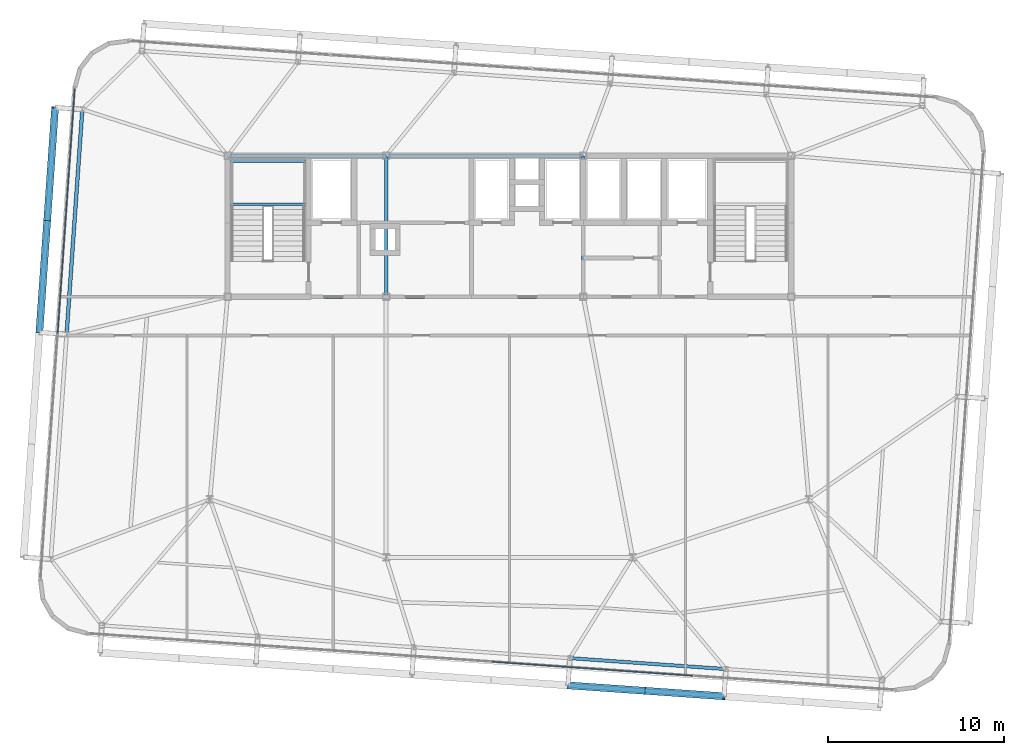
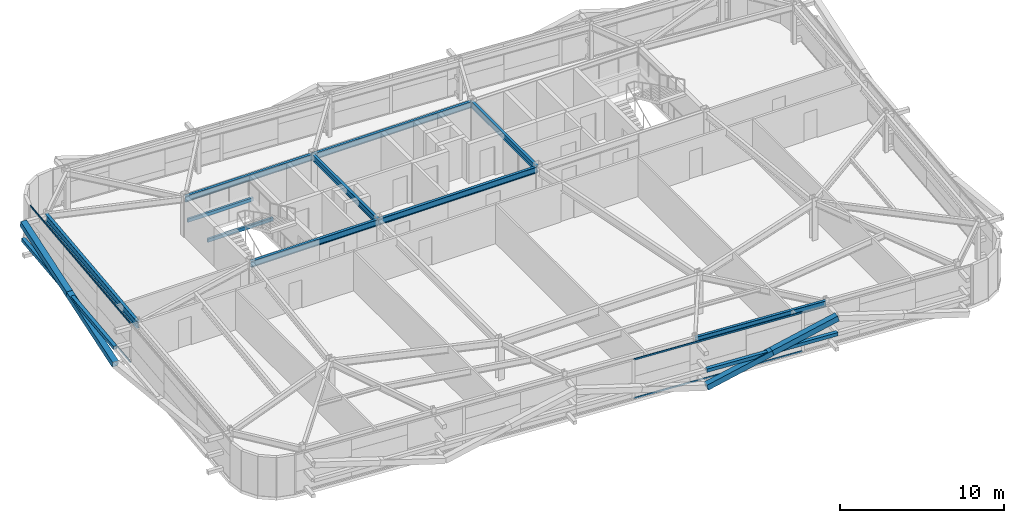
# One storey, part 12 of 39: 10 beams, 10 members, 2 elements without a shape of their own.
"""IFC4 building model written with IfcOpenShell, lengths in metres."""

import ifcopenshell
import ifcopenshell.guid

model = None  # the IFC model being written
_history = None  # IfcOwnerHistory: only IFC2X3 demands one
_inside = {}  # id of a spatial element -> (the spatial element, [elements in it])
_under = {}  # id of a project, library or spatial element -> (it, [spatial elements below it])
_declared = {}  # id of a project -> (the project, [libraries it declares])
_typed = {}  # id of a type object -> (the type object, [elements of that type])
_made_of = {}  # id of a material, layer set ... -> (it, [elements and type objects made of it])


def new_model(schema):
    """Start an empty IFC model of exactly this schema.

    Asked for "IFC4X3", IfcOpenShell would pick the latest addendum, in which some entities
    have other attributes; the version numbers below select the first issue.
    IFC2X3 requires an IfcOwnerHistory on every rooted entity: one is made here for all.
    """
    global model, _history
    if schema == "IFC4X3":
        model = ifcopenshell.file(schema_version=(4, 3, 0, 0))
    else:
        model = ifcopenshell.file(schema=schema)
    _inside.clear()
    _under.clear()
    _declared.clear()
    _typed.clear()
    _made_of.clear()
    _history = None
    if model.schema == "IFC2X3":
        org = make("IfcOrganization", Name="unknown")
        user = make(
            "IfcPersonAndOrganization",
            ThePerson=make("IfcPerson", FamilyName="unknown"),
            TheOrganization=org,
        )
        app = make(
            "IfcApplication",
            ApplicationDeveloper=org,
            Version="unknown",
            ApplicationFullName="unknown",
            ApplicationIdentifier="unknown",
        )
        _history = make(
            "IfcOwnerHistory",
            OwningUser=user,
            OwningApplication=app,
            ChangeAction="ADDED",
            CreationDate=0,
        )
    return model


def make(cls, **values):
    """One entity of the class cls with the attributes given. An attribute that is None is left unset."""
    return model.create_entity(
        cls, **{name: value for name, value in values.items() if value is not None}
    )


def rooted(cls, **values):
    """An entity with a GlobalId (a new one), such as an element, a storey or a relation."""
    return make(cls, GlobalId=ifcopenshell.guid.new(), OwnerHistory=_history, **values)


def si_unit(unit_type, name, prefix=None):
    """IfcSIUnit, for example si_unit("LENGTHUNIT", "METRE", prefix="MILLI")."""
    return make("IfcSIUnit", UnitType=unit_type, Prefix=prefix, Name=name)


def assignment(units):
    """IfcUnitAssignment: the units of a project."""
    return None if units is None else make("IfcUnitAssignment", Units=units)


def point(xyz):
    """IfcCartesianPoint."""
    return None if xyz is None else make("IfcCartesianPoint", Coordinates=xyz)


def direction(xyz):
    """IfcDirection."""
    return None if xyz is None else make("IfcDirection", DirectionRatios=xyz)


def frame(location, z_axis=None, x_axis=None):
    """IfcAxis2Placement3D, a coordinate frame: its origin and axes. An axis left out is left unset."""
    return make(
        "IfcAxis2Placement3D",
        Location=point(location),
        Axis=direction(z_axis),
        RefDirection=direction(x_axis),
    )


def frame_2d(location, x_axis=None):
    """IfcAxis2Placement2D, a coordinate frame in the plane: its origin and x axis."""
    return make(
        "IfcAxis2Placement2D", Location=point(location), RefDirection=direction(x_axis)
    )


def origin():
    """The frame at (0, 0, 0) with its axes left unset."""
    return frame((0.0, 0.0, 0.0))


def origin_2d():
    """The frame at (0, 0) in the plane with its x axis left unset."""
    return frame_2d((0.0, 0.0))


def place(relative_to, where):
    """IfcLocalPlacement: puts the frame where relative to a parent placement (None: the world)."""
    return make(
        "IfcLocalPlacement", PlacementRelTo=relative_to, RelativePlacement=where
    )


def context(
    kind, dimensions, precision=None, world=None, true_north=None, identifier=None
):
    """IfcGeometricRepresentationContext, for example the 3D "Model" context."""
    return make(
        "IfcGeometricRepresentationContext",
        ContextIdentifier=identifier,
        ContextType=kind,
        CoordinateSpaceDimension=dimensions,
        Precision=precision,
        WorldCoordinateSystem=world,
        TrueNorth=true_north,
    )


def subcontext(parent, identifier, kind, view, scale=None):
    """IfcGeometricRepresentationSubContext, for example "Body" below "Model"."""
    return make(
        "IfcGeometricRepresentationSubContext",
        ContextIdentifier=identifier,
        ContextType=kind,
        ParentContext=parent,
        TargetScale=scale,
        TargetView=view,
    )


def project(units=None, contexts=None):
    """IfcProject with its units and contexts."""
    return rooted(
        "IfcProject",
        Name="project",
        RepresentationContexts=contexts,
        UnitsInContext=assignment(units),
    )


def spatial(cls, under=None, at=None, **own):
    """A site, building, storey or space (cls), placed at a placement, below another one or the project."""
    s = rooted(cls, ObjectPlacement=at, **own)
    if under is not None:
        _under.setdefault(under.id(), (under, []))[1].append(s)
    return s


def profile(cls, at=None, kind="AREA", **sizes):
    """A parametric profile (cls). Its sizes go by their IFC names, for example OverallWidth=200.0."""
    return make(cls, ProfileType=kind, Position=at, **sizes)


def hollow_rectangle(**sizes):
    """IfcRectangleHollowProfileDef."""
    return profile("IfcRectangleHollowProfileDef", **sizes)


def i_section(**sizes):
    """IfcIShapeProfileDef."""
    return profile("IfcIShapeProfileDef", **sizes)


def extrude(swept, where, along, depth):
    """IfcExtrudedAreaSolid: the profile swept, set in the frame where, extruded along a direction by depth."""
    return make(
        "IfcExtrudedAreaSolid",
        SweptArea=swept,
        Position=where,
        ExtrudedDirection=direction(along),
        Depth=depth,
    )


def shape(context_of_items, identifier, shape_type, items):
    """IfcShapeRepresentation: the items that make up one representation, for example the "Body"."""
    return make(
        "IfcShapeRepresentation",
        ContextOfItems=context_of_items,
        RepresentationIdentifier=identifier,
        RepresentationType=shape_type,
        Items=items,
    )


def source(mapping_origin, context_of_items, identifier, shape_type, items):
    """IfcRepresentationMap: a shape defined once, which mapped items show again and again."""
    return make(
        "IfcRepresentationMap",
        MappingOrigin=mapping_origin,
        MappedRepresentation=shape(context_of_items, identifier, shape_type, items),
    )


def transform(
    local_origin,
    x_axis=None,
    y_axis=None,
    z_axis=None,
    scale=None,
    scale2=None,
    scale3=None,
    uniform=True,
):
    """IfcCartesianTransformationOperator3D, or its non-uniform kind. x_axis, y_axis, z_axis: its Axis1, 2, 3."""
    if uniform:
        return make(
            "IfcCartesianTransformationOperator3D",
            Axis1=direction(x_axis),
            Axis2=direction(y_axis),
            LocalOrigin=point(local_origin),
            Scale=scale,
            Axis3=direction(z_axis),
        )
    return make(
        "IfcCartesianTransformationOperator3DnonUniform",
        Axis1=direction(x_axis),
        Axis2=direction(y_axis),
        LocalOrigin=point(local_origin),
        Scale=scale,
        Axis3=direction(z_axis),
        Scale2=scale2,
        Scale3=scale3,
    )


def mapped(mapping_source, mapping_target):
    """IfcMappedItem: shows the shape of a source again, moved by a transform."""
    return make(
        "IfcMappedItem", MappingSource=mapping_source, MappingTarget=mapping_target
    )


def material(Name=None, Category=None):
    """IfcMaterial."""
    return make("IfcMaterial", Name=Name, Category=Category)


def layer(
    of_material, thickness, ventilated=None, Name=None, Category=None, Priority=None
):
    """IfcMaterialLayer: one layer of a wall or slab, of a material (None: an air gap)."""
    return make(
        "IfcMaterialLayer",
        Material=of_material,
        LayerThickness=thickness,
        IsVentilated=ventilated,
        Name=Name,
        Category=Category,
        Priority=Priority,
    )


def layer_set(layers, Name=None):
    """IfcMaterialLayerSet."""
    return make("IfcMaterialLayerSet", MaterialLayers=layers, LayerSetName=Name)


def material_profile(
    of_material, cross_section, Name=None, Category=None, Priority=None
):
    """IfcMaterialProfile: a cross section and its material."""
    return make(
        "IfcMaterialProfile",
        Name=Name,
        Material=of_material,
        Profile=cross_section,
        Priority=Priority,
        Category=Category,
    )


def profile_set(profiles, Name=None, composite=None):
    """IfcMaterialProfileSet."""
    return make(
        "IfcMaterialProfileSet",
        Name=Name,
        MaterialProfiles=profiles,
        CompositeProfile=composite,
    )


def made_of(thing, what):
    """Note that an element or type object is made of a material, layer set ...; save() writes the relation."""
    if what is not None:
        _made_of.setdefault(what.id(), (what, []))[1].append(thing)
    return thing


def type_object(cls, material=None, **own):
    """A type object (cls), such as IfcWallType, which elements share."""
    return made_of(rooted(cls, **own), material)


def element(
    cls,
    number,
    at=None,
    inside=None,
    cuts=None,
    type_object=None,
    material=None,
    context=None,
    identifier="Body",
    shape_type=None,
    held_by="IfcProductDefinitionShape",
    body=None,
    shapes=None,
    **own,
):
    """One element of the class cls, such as IfcWall. Its Tag is "e" and its number.

    at: its placement. inside: the storey or other place that contains it. cuts: it is an
    opening in that element (IfcRelVoidsElement). A single representation is given by context,
    identifier, shape_type and body (its items); several are given by shapes. held_by: the class
    of the entity that holds the representations. save() writes the other relations.
    """
    e = rooted(cls, Tag="e%d" % number, ObjectPlacement=at, **own)
    if body is not None:
        shapes = [shape(context, identifier, shape_type, body)]
    if shapes is not None:
        e.Representation = make(held_by, Representations=shapes)
    if inside is not None:
        _inside.setdefault(inside.id(), (inside, []))[1].append(e)
    if cuts is not None:
        rooted(
            "IfcRelVoidsElement", RelatingBuildingElement=cuts, RelatedOpeningElement=e
        )
    if type_object is not None:
        _typed.setdefault(type_object.id(), (type_object, []))[1].append(e)
    return made_of(e, material)


def aggregate(whole, parts):
    """IfcRelAggregates: a whole, such as a stair, and the parts it consists of."""
    return rooted("IfcRelAggregates", RelatingObject=whole, RelatedObjects=parts)


def save(model, path):
    """Write the relations noted so far, then the file.

    IfcRelAggregates (storeys below a building ...), IfcRelContainedInSpatialStructure (elements
    in a storey), IfcRelDefinesByType, IfcRelAssociatesMaterial and IfcRelDeclares: one each for
    every whole, place, type object, material and project.
    """
    for whole, parts in _under.values():
        aggregate(whole, parts)
    for where, things in _inside.values():
        rooted(
            "IfcRelContainedInSpatialStructure",
            RelatedElements=things,
            RelatingStructure=where,
        )
    for kind, things in _typed.values():
        rooted("IfcRelDefinesByType", RelatedObjects=things, RelatingType=kind)
    for what, things in _made_of.values():
        rooted("IfcRelAssociatesMaterial", RelatedObjects=things, RelatingMaterial=what)
    for by, libraries in _declared.values():
        rooted("IfcRelDeclares", RelatingContext=by, RelatedDefinitions=libraries)
    model.write(path)


model = new_model("IFC4")

# Units and contexts
model_context = context("Model", 3, precision=1e-05, world=origin(), true_north=direction((0.0, 1.0)))
body_context = subcontext(model_context, "Body", "Model", "MODEL_VIEW")
ifc_project = project(units=[si_unit("LENGTHUNIT", "METRE"), si_unit("AREAUNIT", "SQUARE_METRE"), si_unit("VOLUMEUNIT", "CUBIC_METRE"), si_unit("PLANEANGLEUNIT", "RADIAN"), si_unit("MASSUNIT", "GRAM", prefix="KILO")], contexts=[model_context])

# Site, building, storey
site_placement = place(None, origin())
site = spatial("IfcSite", under=ifc_project, at=site_placement, CompositionType="ELEMENT")
building_placement = place(site_placement, origin())
building = spatial("IfcBuilding", under=site, at=building_placement, Name="Taldren Reach Tower", CompositionType="ELEMENT")
storey_placement = place(building_placement, frame((0.0, 0.0, 148.75)))
storey = spatial("IfcBuildingStorey", under=building, at=storey_placement, Name="L45", CompositionType="ELEMENT", Elevation=148.75)

# Beams
ifc_material_1 = material(Name="Steel Gr 350 (350PLUS)", Category="steel")
ifc_material_profile_1 = material_profile(ifc_material_1, i_section(OverallWidth=0.19091796875, OverallDepth=0.4599609375, WebThickness=0.010009765625, FlangeThickness=0.01611328125, at=origin_2d()), Name="460UB82.1")
ifc_profile_set_1 = profile_set([ifc_material_profile_1], Name="Steel Gr 350 (350PLUS)")
beam_type_1 = type_object("IfcBeamType", Name="BM-UB460A", PredefinedType="BEAM", material=ifc_profile_set_1)
shared_shape_1 = source(origin(), body_context, "Body", "SweptSolid", [
    extrude(i_section(OverallWidth=0.19091796875, OverallDepth=0.4599609375, WebThickness=0.010009765625, FlangeThickness=0.01611328125, at=origin_2d()), origin(), (0.0, 0.0, 1.0), 9.0),
])
for number, where, z_axis, x_axis, name in (
    (1, (19.0, 24.0, 2.699951171875), (1.0, 0.0, 0.0), (0.0, 1.0, 0.0), "Core-spine girder L45-SP01"),
    (2, (19.0, 32.0, 2.699951171875), (1.0, 0.0, 0.0), (0.0, 1.0, 0.0), "Core-spine girder L45-SP04"),
):
    element("IfcBeam", number, at=place(storey_placement, frame(where, z_axis=z_axis, x_axis=x_axis)), inside=storey, type_object=beam_type_1, Name=name, PredefinedType="BEAM", context=body_context, shape_type="MappedRepresentation", body=[
        mapped(shared_shape_1, transform((0.0, 0.0, 0.0), scale=1.0)),
    ])
shared_shape_2 = source(origin(), body_context, "Body", "SweptSolid", [
    extrude(i_section(OverallWidth=0.19091796875, OverallDepth=0.4599609375, WebThickness=0.010009765625, FlangeThickness=0.01611328125, at=origin_2d()), origin(), (0.0, 0.0, 1.0), 11.199951171875),
])
for number, where, z_axis, x_axis, name in (
    (3, (28.0, 24.0, 2.699951171875), (1.0, 0.0, 0.0), (0.0, 1.0, 0.0), "Core-spine girder L45-SP02"),
    (4, (28.0, 32.0, 2.699951171875), (1.0, 0.0, 0.0), (0.0, 1.0, 0.0), "Core-spine girder L45-SP05"),
):
    element("IfcBeam", number, at=place(storey_placement, frame(where, z_axis=z_axis, x_axis=x_axis)), inside=storey, type_object=beam_type_1, Name=name, PredefinedType="BEAM", context=body_context, shape_type="MappedRepresentation", body=[
        mapped(shared_shape_2, transform((0.0, 0.0, 0.0), scale=1.0)),
    ])
shared_shape_3 = source(origin(), body_context, "Body", "SweptSolid", [
    extrude(i_section(OverallWidth=0.19091796875, OverallDepth=0.4599609375, WebThickness=0.010009765625, FlangeThickness=0.01611328125, at=origin_2d()), origin(), (0.0, 0.0, 1.0), 8.0),
])
for number, where, z_axis, x_axis, name in (
    (5, (28.0, 24.0, 2.699951171875), (0.0, 1.0, 0.0), (-1.0, 0.0, 0.0), "Core-spine girder L45-SP07"),
    (6, (39.199951171875, 24.0, 2.699951171875), (0.0, 1.0, 0.0), (-1.0, 0.0, 0.0), "Core-spine girder L45-SP08"),
):
    element("IfcBeam", number, at=place(storey_placement, frame(where, z_axis=z_axis, x_axis=x_axis)), inside=storey, type_object=beam_type_1, Name=name, PredefinedType="BEAM", context=body_context, shape_type="MappedRepresentation", body=[
        mapped(shared_shape_3, transform((0.0, 0.0, 0.0), scale=1.0)),
    ])
ifc_material_profile_2 = material_profile(ifc_material_1, i_section(OverallWidth=0.18994140625, OverallDepth=0.4541015625, WebThickness=0.008544921875, FlangeThickness=0.0126953125, at=origin_2d()), Name="460UB67.1")
ifc_profile_set_2 = profile_set([ifc_material_profile_2], Name="Steel Gr 350 (350PLUS)")
beam_type_2 = type_object("IfcBeamType", Name="SP-UB460B", PredefinedType="SPANDREL", material=ifc_profile_set_2)
shared_shape_4 = source(origin(), body_context, "Body", "SweptSolid", [
    extrude(i_section(OverallWidth=0.18994140625, OverallDepth=0.4541015625, WebThickness=0.008544921875, FlangeThickness=0.0126953125, at=origin_2d()), origin(), (0.0, 0.0, 1.0), 8.880126953125),
])
beam_1_placement = place(storey_placement, frame((38.438720703125, 3.480224609375, 2.702880859375), z_axis=(0.997562566276, -0.06977769246, 0.0), x_axis=(0.06977769246, 0.997562566276, 0.0)))
element("IfcBeam", 7, at=beam_1_placement, inside=storey, type_object=beam_type_2, Name="Perimeter spandrel B3 S4-S5 L45", PredefinedType="SPANDREL", context=body_context, shape_type="MappedRepresentation", body=[
    mapped(shared_shape_4, transform((0.0, 0.0, 0.0), scale=1.0)),
])
ifc_material_profile_3 = material_profile(ifc_material_1, i_section(OverallWidth=0.208984375, OverallDepth=0.528076171875, WebThickness=0.009521484375, FlangeThickness=0.01318359375, at=origin_2d()), Name="530UB82.0")
ifc_profile_set_3 = profile_set([ifc_material_profile_3], Name="Steel Gr 350 (350PLUS)")
beam_type_3 = type_object("IfcBeamType", Name="SP-UB530B", PredefinedType="SPANDREL", material=ifc_profile_set_3)
shared_shape_5 = source(origin(), body_context, "Body", "SweptSolid", [
    extrude(i_section(OverallWidth=0.208984375, OverallDepth=0.528076171875, WebThickness=0.009521484375, FlangeThickness=0.01318359375, at=origin_2d()), origin(), (0.0, 0.0, 1.0), 12.800048828125),
])
beam_2_placement = place(storey_placement, frame((10.754638671875, 34.63720703125, 2.666015625), z_axis=(-0.069751876777, -0.9975643717, 0.0), x_axis=(0.9975643717, -0.069751876777, 0.0)))
element("IfcBeam", 8, at=beam_2_placement, inside=storey, type_object=beam_type_3, Name="Perimeter spandrel B3 W3-W2 L45", PredefinedType="SPANDREL", context=body_context, shape_type="MappedRepresentation", body=[
    mapped(shared_shape_5, transform((0.0, 0.0, 0.0), scale=1.0)),
])

# Members
ifc_material_2 = material(Name="Steel Gr 350 (C350L0)", Category="steel")
ifc_material_profile_4 = material_profile(ifc_material_2, hollow_rectangle(XDim=0.25, YDim=0.25, WallThickness=0.010009765625, at=origin_2d()), Name="250x250x10.0SHS")
ifc_profile_set_4 = profile_set([ifc_material_profile_4], Name="Steel Gr 350 (C350L0)")
member_type_1 = type_object("IfcMemberType", Name="MB-POST250", PredefinedType="POST", material=ifc_profile_set_4)
shared_shape_6 = source(origin(), body_context, "Body", "SweptSolid", [
    extrude(hollow_rectangle(XDim=0.25, YDim=0.25, WallThickness=0.010009765625, at=origin_2d()), origin(), (0.0, 0.0, 1.0), 8.880126953125),
])
member_1_placement = place(storey_placement, frame((38.33056640625, 1.933837890625, 1.43505859375), z_axis=(0.997564479639, -0.069750333063, 0.0), x_axis=(0.069750333063, 0.997564479639, 0.0)))
element("IfcMember", 9, at=member_1_placement, inside=storey, type_object=member_type_1, Name="Exoskeleton mid-height ring chord B3-S4 L45", PredefinedType="POST", context=body_context, shape_type="MappedRepresentation", body=[
    mapped(shared_shape_6, transform((0.0, 0.0, 0.0), scale=1.0)),
])
shared_shape_7 = source(origin(), body_context, "Body", "SweptSolid", [
    extrude(hollow_rectangle(XDim=0.25, YDim=0.25, WallThickness=0.010009765625, at=origin_2d()), origin(), (0.0, 0.0, 1.0), 12.800048828125),
])
member_2_placement = place(storey_placement, frame((8.3154296875, 21.9765625, 1.43505859375), z_axis=(0.069770857464, 0.997563044348, 0.0), x_axis=(-0.997563044348, 0.069770857464, 0.0)))
element("IfcMember", 10, at=member_2_placement, inside=storey, type_object=member_type_1, Name="Exoskeleton mid-height ring chord B3-W2 L45", PredefinedType="POST", context=body_context, shape_type="MappedRepresentation", body=[
    mapped(shared_shape_7, transform((0.0, 0.0, 0.0), scale=1.0)),
])
ifc_material_3 = material(Name="Steel Gr 450 (C450L0)", Category="steel")
ifc_material_profile_5 = material_profile(ifc_material_3, hollow_rectangle(XDim=0.409912109375, YDim=0.409912109375, WallThickness=0.01611328125, at=origin_2d()), Name="410x410x16.0SHS")
ifc_profile_set_5 = profile_set([ifc_material_profile_5], Name="Steel Gr 450 (C450L0)")
member_type_2 = type_object("IfcMemberType", Name="MB-EXO406", PredefinedType="BRACE", material=ifc_profile_set_5)
shared_shape_8 = source(origin(), body_context, "Body", "SweptSolid", [
    extrude(hollow_rectangle(XDim=0.409912109375, YDim=0.409912109375, WallThickness=0.01611328125, at=origin_2d()), origin(), (0.0, 0.0, 1.0), 4.603271484375),
])
for number, where, z_axis, x_axis, name in (
    (11, (38.33056640625, 1.933837890625, 0.219970703125), (0.962185784239, -0.067250114343, 0.263962002434), (0.069722973508, 0.997566392259, 0.0), "Exoskeleton Diagrid Brace B3-S4 L45"),
    (12, (42.759765625, 1.624267578125, 1.43505859375), (0.962195820062, -0.067303852699, 0.263911718699), (0.06977769246, 0.997562566276, 0.0), "Exoskeleton Diagrid Brace B3-S4 L45"),
):
    element("IfcMember", number, at=place(storey_placement, frame(where, z_axis=z_axis, x_axis=x_axis)), inside=storey, type_object=member_type_2, Name=name, PredefinedType="BRACE", context=body_context, shape_type="MappedRepresentation", body=[
        mapped(shared_shape_8, transform((0.0, 0.0, 0.0), scale=1.0)),
    ])
shared_shape_9 = source(origin(), body_context, "Body", "SweptSolid", [
    extrude(hollow_rectangle(XDim=0.409912109375, YDim=0.409912109375, WallThickness=0.01611328125, at=origin_2d()), origin(), (0.0, 0.0, 1.0), 6.514404296875),
])
member_3_placement = place(storey_placement, frame((8.761962890625, 28.36083984375, 1.43505859375), z_axis=(0.068545605936, 0.980063499638, 0.186486022492), x_axis=(-0.997563137195, 0.069769529958, 0.0)))
element("IfcMember", 13, at=member_3_placement, inside=storey, type_object=member_type_2, Name="Exoskeleton Diagrid Brace B3-W2 L45", PredefinedType="BRACE", context=body_context, shape_type="MappedRepresentation", body=[
    mapped(shared_shape_9, transform((0.0, 0.0, 0.0), scale=1.0)),
])
shared_shape_10 = source(origin(), body_context, "Body", "SweptSolid", [
    extrude(hollow_rectangle(XDim=0.409912109375, YDim=0.409912109375, WallThickness=0.01611328125, at=origin_2d()), origin(), (0.0, 0.0, 1.0), 6.51416015625),
])
member_4_placement = place(storey_placement, frame((8.3154296875, 21.9765625, 0.219970703125), z_axis=(0.068547644544, 0.980055169399, 0.186529046964), x_axis=(-0.997562951496, 0.069772185021, 0.0)))
element("IfcMember", 14, at=member_4_placement, inside=storey, type_object=member_type_2, Name="Exoskeleton Diagrid Brace B3-W2 L45", PredefinedType="BRACE", context=body_context, shape_type="MappedRepresentation", body=[
    mapped(shared_shape_10, transform((0.0, 0.0, 0.0), scale=1.0)),
])

# Curtain wall, members
ifc_material_4 = material(Name="Aluminium and Low-E Glass Unitised System", Category="aluminium")
ifc_layer = layer(ifc_material_4, 0.159912109375)
ifc_layer_set = layer_set([ifc_layer], Name="Aluminium and Low-E Glass Unitised System")
curtain_wall_type = type_object("IfcCurtainWallType", Name="CW-SYS-4", PredefinedType="NOTDEFINED", material=ifc_layer_set)
curtain_wall_1_placement = place(storey_placement, origin())
curtain_wall_1 = element("IfcCurtainWall", 15, at=curtain_wall_1_placement, inside=storey, type_object=curtain_wall_type, Name="Unitised curtain wall CW-L45-S", PredefinedType="NOTDEFINED")
ifc_material_5 = material(Name="Anodised Aluminium 6063-T6", Category="aluminium")
ifc_material_profile_6 = material_profile(ifc_material_5, hollow_rectangle(XDim=0.054931640625, YDim=0.1201171875, WallThickness=0.0029296875, at=origin_2d()), Name="ALU-120x55x3RHS")
ifc_profile_set_6 = profile_set([ifc_material_profile_6], Name="Anodised Aluminium 6063-T6")
member_type_3 = type_object("IfcMemberType", Name="CW-TRN-135", PredefinedType="USERDEFINED", material=ifc_profile_set_6)
shared_shape_11 = source(origin(), body_context, "Body", "SweptSolid", [
    extrude(hollow_rectangle(XDim=0.054931640625, YDim=0.1201171875, WallThickness=0.0029296875, at=origin_2d()), origin(), (0.0, 0.0, 1.0), 11.429931640625),
])
member_5_placement = place(storey_placement, frame((34.0087890625, 3.278564453125, 0.027587890625), z_axis=(0.997563740938, -0.069760897114, 0.0), x_axis=(0.069760897114, 0.997563740938, 0.0)))
member_5 = element("IfcMember", 16, at=member_5_placement, type_object=member_type_3, Name="CW-4 transom 3.1", ObjectType="TRANSOM", PredefinedType="USERDEFINED", context=body_context, shape_type="MappedRepresentation", body=[
    mapped(shared_shape_11, transform((0.0, 0.0, 0.0), scale=1.0)),
])
member_6_placement = place(storey_placement, frame((34.0087890625, 3.278564453125, 2.902587890625), z_axis=(0.997563740938, -0.069760897114, 0.0), x_axis=(0.069760897114, 0.997563740938, 0.0)))
member_6 = element("IfcMember", 17, at=member_6_placement, type_object=member_type_3, Name="CW-4 transom 3.2", ObjectType="TRANSOM", PredefinedType="USERDEFINED", context=body_context, shape_type="MappedRepresentation", body=[
    mapped(shared_shape_11, transform((0.0, 0.0, 0.0), scale=1.0)),
])
aggregate(curtain_wall_1, [member_5, member_6])

curtain_wall_2_placement = place(storey_placement, origin())
curtain_wall_2 = element("IfcCurtainWall", 18, at=curtain_wall_2_placement, inside=storey, type_object=curtain_wall_type, Name="Unitised curtain wall CW-L45-W", PredefinedType="NOTDEFINED")
shared_shape_12 = source(origin(), body_context, "Body", "SweptSolid", [
    extrude(hollow_rectangle(XDim=0.054931640625, YDim=0.1201171875, WallThickness=0.0029296875, at=origin_2d()), origin(), (0.0, 0.0, 1.0), 13.895263671875),
])
member_7_placement = place(storey_placement, frame((10.32470703125, 35.800048828125, 0.027587890625), z_axis=(-0.069753594456, -0.997564251595, 0.0), x_axis=(0.997564251595, -0.069753594456, 0.0)))
member_7 = element("IfcMember", 19, at=member_7_placement, type_object=member_type_3, Name="CW-4 transom 1.1", ObjectType="TRANSOM", PredefinedType="USERDEFINED", context=body_context, shape_type="MappedRepresentation", body=[
    mapped(shared_shape_12, transform((0.0, 0.0, 0.0), scale=1.0)),
])
member_8_placement = place(storey_placement, frame((10.32470703125, 35.800048828125, 2.902587890625), z_axis=(-0.069753594456, -0.997564251595, 0.0), x_axis=(0.997564251595, -0.069753594456, 0.0)))
member_8 = element("IfcMember", 20, at=member_8_placement, type_object=member_type_3, Name="CW-4 transom 1.2", ObjectType="TRANSOM", PredefinedType="USERDEFINED", context=body_context, shape_type="MappedRepresentation", body=[
    mapped(shared_shape_12, transform((0.0, 0.0, 0.0), scale=1.0)),
])
aggregate(curtain_wall_2, [member_7, member_8])

# Beams
ifc_material_profile_7 = material_profile(ifc_material_2, hollow_rectangle(XDim=0.14990234375, YDim=0.25, WallThickness=0.009033203125, at=origin_2d()), Name="250x150x9.0RHS")
ifc_profile_set_7 = profile_set([ifc_material_profile_7], Name="Steel Gr 350 (C350L0)")
beam_type_4 = type_object("IfcBeamType", Name="LN-RHS250", PredefinedType="LINTEL", material=ifc_profile_set_7)
shared_shape_13 = source(origin(), body_context, "Body", "SweptSolid", [
    extrude(hollow_rectangle(XDim=0.14990234375, YDim=0.25, WallThickness=0.009033203125, at=origin_2d()), origin(), (0.0, 0.0, 1.0), 4.60009765625),
])
for number, where, z_axis, x_axis, name in (
    (21, (19.0, 29.2548828125, 1.27001953125), (1.0, 0.0, 0.0), (0.0, 1.0, 0.0), "Stair half-landing support beam ST1-L45-1"),
    (22, (19.0, 31.699951171875, 1.27001953125), (1.0, 0.0, 0.0), (0.0, 1.0, 0.0), "Stair half-landing support beam ST1-L45-2"),
):
    element("IfcBeam", number, at=place(storey_placement, frame(where, z_axis=z_axis, x_axis=x_axis)), inside=storey, type_object=beam_type_4, Name=name, PredefinedType="LINTEL", context=body_context, shape_type="MappedRepresentation", body=[
        mapped(shared_shape_13, transform((0.0, 0.0, 0.0), scale=1.0)),
    ])

save(model, "model.ifc")
